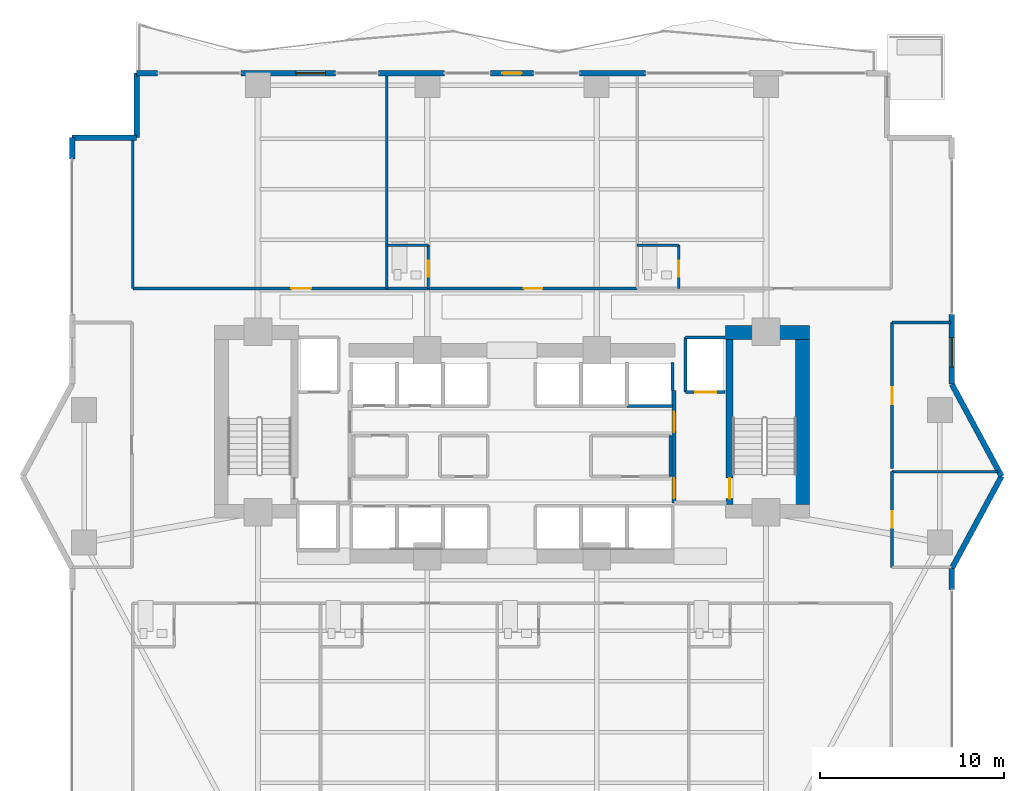
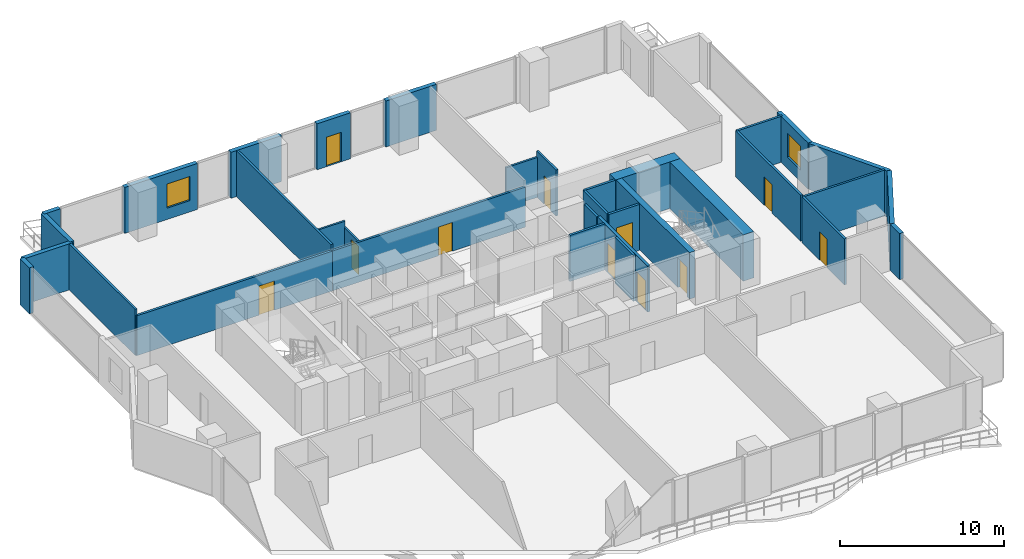
# One storey, part 23 of 28: 34 walls, 11 doors, 2 windows, 13 openings.
"""IFC4 building model written with IfcOpenShell, lengths in metres."""

from ifc_helpers import new_model, si_unit, direction, frame, frame_2d, origin, place, context, subcontext, project, spatial, rectangle, extrude, material, layer, layer_set, type_object, element, fill, save


model = new_model("IFC4")

# Units and contexts
model_context = context("Model", 3, precision=1e-05, world=origin(), true_north=direction((0.0, 1.0)))
body_context = subcontext(model_context, "Body", "Model", "MODEL_VIEW")
ifc_project = project(units=[si_unit("LENGTHUNIT", "METRE"), si_unit("AREAUNIT", "SQUARE_METRE"), si_unit("VOLUMEUNIT", "CUBIC_METRE"), si_unit("PLANEANGLEUNIT", "RADIAN"), si_unit("MASSUNIT", "GRAM", prefix="KILO")], contexts=[model_context])

# Site, building, storey
site_placement = place(None, origin())
site = spatial("IfcSite", under=ifc_project, at=site_placement, CompositionType="ELEMENT")
building_placement = place(site_placement, origin())
building = spatial("IfcBuilding", under=site, at=building_placement, Name="Zuhayl Quay Hotel", CompositionType="ELEMENT")
storey_placement = place(building_placement, frame((0.0, 0.0, 146.75)))
storey = spatial("IfcBuildingStorey", under=building, at=storey_placement, Name="L37", CompositionType="ELEMENT", Elevation=146.75)

# Walls
ifc_material_1 = material(Name="Concrete C60/75", Category="concrete")
ifc_layer_1 = layer(ifc_material_1, 0.75, Name="Concrete C60/75", Category="concrete")
ifc_layer_set_1 = layer_set([ifc_layer_1], Name="Concrete C60/75")
wall_type_1 = type_object("IfcWallType", Name="WL_CORE_750", PredefinedType="SHEAR", material=ifc_layer_set_1)
wall_1_placement = place(storey_placement, frame((11.60009765625, 14.304931640625, 0.0), z_axis=(0.0, 0.0, 1.0), x_axis=(1.0, 0.0, 0.0)))
element("IfcWall", 1, at=wall_1_placement, inside=storey, type_object=wall_type_1, Name="L37 Core Shear Wall CW_NE", PredefinedType="SHEAR", context=body_context, shape_type="SweptSolid", body=[
    extrude(rectangle(XDim=4.559814453125, YDim=0.75, at=frame_2d((2.27978515625, 0.0))), origin(), (0.0, 0.0, 1.0), 3.4599609375),
])
wall_2_placement = place(storey_placement, frame((15.784912109375, 4.969970703125, 0.0), z_axis=(0.0, 0.0, 1.0), x_axis=(0.0, 1.0, 0.0)))
element("IfcWall", 2, at=wall_2_placement, inside=storey, type_object=wall_type_1, Name="L37 Core Shear Wall CW_E", PredefinedType="SHEAR", context=body_context, shape_type="SweptSolid", body=[
    extrude(rectangle(XDim=8.9599609375, YDim=0.75, at=frame_2d((4.47998046875, 0.0))), origin(), (0.0, 0.0, 1.0), 3.4599609375),
])
ifc_material_2 = material(Name="Precast concrete C45/55", Category="concrete")
ifc_layer_2 = layer(ifc_material_2, 0.300048828125, Name="Precast concrete C45/55", Category="concrete")
ifc_layer_set_2 = layer_set([ifc_layer_2], Name="Precast concrete C45/55")
wall_type_2 = type_object("IfcWallType", Name="WL_EXT_300", PredefinedType="STANDARD", material=ifc_layer_set_2)
wall_3_placement = place(storey_placement, frame((-23.89990234375, 23.75, 0.0), z_axis=(0.0, 0.0, 1.0), x_axis=(0.0, 1.0, 0.0)))
element("IfcWall", 3, at=wall_3_placement, inside=storey, type_object=wall_type_2, Name="L37 Exterior Precast Wall ENV_L37_E05_EW2", PredefinedType="STANDARD", context=body_context, shape_type="SweptSolid", body=[
    extrude(rectangle(XDim=1.14990234375, YDim=0.300048828125, at=frame_2d((0.574951171875, 0.0))), origin(), (0.0, 0.0, 1.0), 3.429931640625),
])
for number, where, z_axis, x_axis, name in (
    (4, (-23.89990234375, 24.89990234375, 0.0), (0.0, 0.0, 1.0), (1.0, 0.0, 0.0), "L37 Exterior Precast Wall ENV_L37_EW06"),
    (5, (-20.39990234375, 24.89990234375, 0.0), (0.0, 0.0, 1.0), (0.0, 1.0, 0.0), "L37 Exterior Precast Wall ENV_L37_EW07"),
):
    element("IfcWall", number, at=place(storey_placement, frame(where, z_axis=z_axis, x_axis=x_axis)), inside=storey, type_object=wall_type_2, Name=name, PredefinedType="STANDARD", context=body_context, shape_type="SweptSolid", body=[
        extrude(rectangle(XDim=3.5, YDim=0.300048828125, at=frame_2d((1.75, 0.0))), origin(), (0.0, 0.0, 1.0), 3.429931640625),
    ])
wall_4_placement = place(storey_placement, frame((-20.39990234375, 28.39990234375, 0.0), z_axis=(0.0, 0.0, 1.0), x_axis=(1.0, 0.0, 0.0)))
element("IfcWall", 6, at=wall_4_placement, inside=storey, type_object=wall_type_2, Name="L37 Exterior Precast Wall ENV_L37_N_EW1", PredefinedType="STANDARD", context=body_context, shape_type="SweptSolid", body=[
    extrude(rectangle(XDim=1.14990234375, YDim=0.300048828125, at=frame_2d((0.574951171875, 0.0))), origin(), (0.0, 0.0, 1.0), 3.429931640625),
])

# Wall, opening, window
wall_5_placement = place(storey_placement, frame((-14.719970703125, 28.39990234375, 0.0), z_axis=(0.0, 0.0, 1.0), x_axis=(1.0, 0.0, 0.0)))
wall_5 = element("IfcWall", 7, at=wall_5_placement, inside=storey, type_object=wall_type_2, Name="L37 Exterior Precast Wall ENV_L37_N_EW2", PredefinedType="STANDARD", context=body_context, shape_type="SweptSolid", body=[
    extrude(rectangle(XDim=5.1298828125, YDim=0.300048828125, at=frame_2d((2.56494140625, 0.0))), origin(), (0.0, 0.0, 1.0), 3.429931640625),
])
opening_1_placement = place(wall_5_placement, frame((2.97998046875, 0.0, 0.85009765625)))
opening_1 = element("IfcOpeningElement", 8, at=opening_1_placement, cuts=wall_5, Name="Opening W01", PredefinedType="OPENING", context=body_context, shape_type="SweptSolid", body=[
    extrude(rectangle(XDim=1.60009765625, YDim=1.800048828125, at=frame_2d((0.800048828125, 0.89990234375))), frame((0.0, 0.159912109375, 0.0), z_axis=(0.0, -1.0, 0.0), x_axis=(1.0, 0.0, 0.0)), (0.0, 0.0, 1.0), 0.320068359375),
])
ifc_material_3 = material(Name="Dark Ceramic-Fritted Solar Glass", Category="glass")
window_type = type_object("IfcWindowType", Name="WN_OPERABLE_1600", PartitioningType="DOUBLE_PANEL_VERTICAL", PredefinedType="WINDOW", material=ifc_material_3)
window_1_placement = place(opening_1_placement, origin())
window_1 = element("IfcWindow", 9, at=window_1_placement, inside=storey, type_object=window_type, Name="L37 North Operable Casement Window", OverallHeight=1.800048828125, OverallWidth=1.60009765625, PartitioningType="SINGLE_PANEL", PredefinedType="WINDOW", context=body_context, shape_type="SweptSolid", body=[
    extrude(rectangle(XDim=1.60009765625, YDim=1.800048828125, at=frame_2d((0.800048828125, 0.89990234375))), frame((0.0, 0.030029296875, 0.0), z_axis=(0.0, -1.0, 0.0), x_axis=(1.0, 0.0, 0.0)), (0.0, 0.0, 1.0), 0.06005859375),
])
fill(opening_1, window_1)

# Wall
wall_6_placement = place(storey_placement, frame((-7.25, 28.39990234375, 0.0), z_axis=(0.0, 0.0, 1.0), x_axis=(1.0, 0.0, 0.0)))
element("IfcWall", 10, at=wall_6_placement, inside=storey, type_object=wall_type_2, Name="L37 Exterior Precast Wall ENV_L37_N_EW3", PredefinedType="STANDARD", context=body_context, shape_type="SweptSolid", body=[
    extrude(rectangle(XDim=3.570068359375, YDim=0.300048828125, at=frame_2d((1.78515625, 0.0))), origin(), (0.0, 0.0, 1.0), 3.429931640625),
])

# Wall, opening, door
wall_7_placement = place(storey_placement, frame((-1.175048828125, 28.39990234375, 0.0), z_axis=(0.0, 0.0, 1.0), x_axis=(1.0, 0.0, 0.0)))
wall_7 = element("IfcWall", 11, at=wall_7_placement, inside=storey, type_object=wall_type_2, Name="L37 Exterior Precast Wall ENV_L37_N_EW4", PredefinedType="STANDARD", context=body_context, shape_type="SweptSolid", body=[
    extrude(rectangle(XDim=2.35009765625, YDim=0.300048828125, at=frame_2d((1.175048828125, 0.0))), origin(), (0.0, 0.0, 1.0), 3.429931640625),
])
opening_2_placement = place(wall_7_placement, frame((0.64990234375, 0.0, 0.0)))
opening_2 = element("IfcOpeningElement", 12, at=opening_2_placement, cuts=wall_7, Name="Opening DG1", PredefinedType="OPENING", context=body_context, shape_type="SweptSolid", body=[
    extrude(rectangle(XDim=1.050048828125, YDim=2.199951171875, at=frame_2d((0.52490234375, 1.10009765625))), frame((0.0, 0.159912109375, 0.0), z_axis=(0.0, -1.0, 0.0), x_axis=(1.0, 0.0, 0.0)), (0.0, 0.0, 1.0), 0.320068359375),
])
ifc_material_4 = material(Name="Anodised Aluminium and Dark Solar Glass", Category="aluminium")
door_type_1 = type_object("IfcDoorType", Name="DR_EXT_TERR_1050", OperationType="NOTDEFINED", PredefinedType="DOOR", material=ifc_material_4)
door_1_placement = place(opening_2_placement, origin())
door_1 = element("IfcDoor", 13, at=door_1_placement, inside=storey, type_object=door_type_1, Name="L37 North Rippling Balcony Door", OperationType="SINGLE_SWING_LEFT", OverallHeight=2.199951171875, OverallWidth=1.050048828125, PredefinedType="DOOR", context=body_context, shape_type="SweptSolid", body=[
    extrude(rectangle(XDim=1.050048828125, YDim=2.199951171875, at=frame_2d((0.52490234375, 1.10009765625))), frame((0.0, 0.02490234375, 0.0), z_axis=(0.0, -1.0, 0.0), x_axis=(1.0, 0.0, 0.0)), (0.0, 0.0, 1.0), 0.050048828125),
])
fill(opening_2, door_1)

# Wall
wall_8_placement = place(storey_placement, frame((3.679931640625, 28.39990234375, 0.0), z_axis=(0.0, 0.0, 1.0), x_axis=(1.0, 0.0, 0.0)))
element("IfcWall", 14, at=wall_8_placement, inside=storey, type_object=wall_type_2, Name="L37 Exterior Precast Wall ENV_L37_N_EW5", PredefinedType="STANDARD", context=body_context, shape_type="SweptSolid", body=[
    extrude(rectangle(XDim=3.570068359375, YDim=0.300048828125, at=frame_2d((1.78515625, 0.0))), origin(), (0.0, 0.0, 1.0), 3.429931640625),
])

# Wall, opening, window
wall_9_placement = place(storey_placement, frame((23.89990234375, 15.300048828125, 0.0), z_axis=(0.0, 0.0, 1.0), x_axis=(0.0, -1.0, 0.0)))
wall_9 = element("IfcWall", 15, at=wall_9_placement, inside=storey, type_object=wall_type_2, Name="L37 Exterior Precast Wall ENV_L37_E11_EW2", PredefinedType="STANDARD", context=body_context, shape_type="SweptSolid", body=[
    extrude(rectangle(XDim=3.800048828125, YDim=0.300048828125, at=frame_2d((1.89990234375, 0.0))), origin(), (0.0, 0.0, 1.0), 3.429931640625),
])
opening_3_placement = place(wall_9_placement, frame((1.264892578125, 0.0, 0.85009765625)))
opening_3 = element("IfcOpeningElement", 16, at=opening_3_placement, cuts=wall_9, Name="Opening W01", PredefinedType="OPENING", context=body_context, shape_type="SweptSolid", body=[
    extrude(rectangle(XDim=1.60009765625, YDim=1.800048828125, at=frame_2d((0.800048828125, 0.89990234375))), frame((0.0, 0.159912109375, 0.0), z_axis=(0.0, -1.0, 0.0), x_axis=(1.0, 0.0, 0.0)), (0.0, 0.0, 1.0), 0.320068359375),
])
window_2_placement = place(opening_3_placement, origin())
window_2 = element("IfcWindow", 17, at=window_2_placement, inside=storey, type_object=window_type, Name="L37 Operable Facade Window 2-1", OverallHeight=1.800048828125, OverallWidth=1.60009765625, PartitioningType="SINGLE_PANEL", PredefinedType="WINDOW", context=body_context, shape_type="SweptSolid", body=[
    extrude(rectangle(XDim=1.60009765625, YDim=1.800048828125, at=frame_2d((0.800048828125, 0.89990234375))), frame((0.0, 0.030029296875, 0.0), z_axis=(0.0, -1.0, 0.0), x_axis=(1.0, 0.0, 0.0)), (0.0, 0.0, 1.0), 0.06005859375),
])
fill(opening_3, window_2)

# Walls
for number, where, z_axis, x_axis, name in (
    (18, (23.89990234375, 11.5, 0.0), (0.0, 0.0, 1.0), (0.475175525499, -0.879891027325, 0.0), "L37 Exterior Precast Wall ENV_L37_EW12"),
    (19, (26.60009765625, 6.5, 0.0), (0.0, 0.0, 1.0), (-0.475175525499, -0.879891027325, 0.0), "L37 Exterior Precast Wall ENV_L37_EW13"),
):
    element("IfcWall", number, at=place(storey_placement, frame(where, z_axis=z_axis, x_axis=x_axis)), inside=storey, type_object=wall_type_2, Name=name, PredefinedType="STANDARD", context=body_context, shape_type="SweptSolid", body=[
        extrude(rectangle(XDim=5.6826171875, YDim=0.300048828125, at=frame_2d((2.84130859375, 0.0))), origin(), (0.0, 0.0, 1.0), 3.429931640625),
    ])
wall_10_placement = place(storey_placement, frame((23.89990234375, 1.5, 0.0), z_axis=(0.0, 0.0, 1.0), x_axis=(0.0, -1.0, 0.0)))
element("IfcWall", 20, at=wall_10_placement, inside=storey, type_object=wall_type_2, Name="L37 Exterior Precast Wall ENV_L37_E14_EW1", PredefinedType="STANDARD", context=body_context, shape_type="SweptSolid", body=[
    extrude(rectangle(XDim=1.14990234375, YDim=0.300048828125, at=frame_2d((0.574951171875, 0.0))), origin(), (0.0, 0.0, 1.0), 3.429931640625),
])
ifc_material_5 = material(Name="Acoustic Gypsum Partition STC-58")
ifc_layer_3 = layer(ifc_material_5, 0.14990234375, Name="Acoustic Gypsum Partition STC-58")
ifc_layer_set_3 = layer_set([ifc_layer_3], Name="Acoustic Gypsum Partition STC-58")
wall_type_3 = type_object("IfcWallType", Name="WL_PART_150", PredefinedType="PARTITIONING", material=ifc_layer_set_3)
wall_11_placement = place(storey_placement, frame((8.610107421875, 6.47998046875, 0.0), z_axis=(0.0, 0.0, 1.0), x_axis=(0.0, 1.0, 0.0)))
element("IfcWall", 21, at=wall_11_placement, inside=storey, type_object=wall_type_3, Name="L37 Partition IW_L37_CORE_VL_E", PredefinedType="PARTITIONING", context=body_context, shape_type="SweptSolid", body=[
    extrude(rectangle(XDim=2.239990234375, YDim=0.14990234375, at=frame_2d((1.1201171875, 0.0))), origin(), (0.0, 0.0, 1.0), 3.429931640625),
])
wall_12_placement = place(storey_placement, frame((-20.60009765625, 16.699951171875, 0.0), z_axis=(0.0, 0.0, 1.0), x_axis=(0.0, 1.0, 0.0)))
element("IfcWall", 22, at=wall_12_placement, inside=storey, type_object=wall_type_3, Name="L37 Partition IW_L37_NSAL_0_W", PredefinedType="PARTITIONING", context=body_context, shape_type="SweptSolid", body=[
    extrude(rectangle(XDim=8.14013671875, YDim=0.14990234375, at=frame_2d((4.070068359375, 0.0))), origin(), (0.0, 0.0, 1.0), 3.429931640625),
])
wall_13_placement = place(storey_placement, frame((-6.800048828125, 16.699951171875, 0.0), z_axis=(0.0, 0.0, 1.0), x_axis=(0.0, 1.0, 0.0)))
element("IfcWall", 23, at=wall_13_placement, inside=storey, type_object=wall_type_3, Name="L37 Partition IW_L37_NSAL_0_E", PredefinedType="PARTITIONING", context=body_context, shape_type="SweptSolid", body=[
    extrude(rectangle(XDim=11.64013671875, YDim=0.14990234375, at=frame_2d((5.820068359375, 0.0))), origin(), (0.0, 0.0, 1.0), 3.429931640625),
])
wall_14_placement = place(storey_placement, frame((20.64990234375, 6.75, 0.0), z_axis=(0.0, 0.0, 1.0), x_axis=(1.0, 0.0, 0.0)))
element("IfcWall", 24, at=wall_14_placement, inside=storey, type_object=wall_type_3, Name="L37 Partition IW_L37_HK_MAIN_N", PredefinedType="PARTITIONING", context=body_context, shape_type="SweptSolid", body=[
    extrude(rectangle(XDim=5.755126953125, YDim=0.14990234375, at=frame_2d((2.87744140625, 0.0))), origin(), (0.0, 0.0, 1.0), 3.429931640625),
])
wall_15_placement = place(storey_placement, frame((20.64990234375, 14.85009765625, 0.0), z_axis=(0.0, 0.0, 1.0), x_axis=(1.0, 0.0, 0.0)))
element("IfcWall", 25, at=wall_15_placement, inside=storey, type_object=wall_type_3, Name="L37 Partition IW_L37_EFLK_2_N", PredefinedType="PARTITIONING", context=body_context, shape_type="SweptSolid", body=[
    extrude(rectangle(XDim=3.190185546875, YDim=0.14990234375, at=frame_2d((1.59521484375, 0.0))), origin(), (0.0, 0.0, 1.0), 3.429931640625),
])

# Wall, opening, door
ifc_layer_4 = layer(ifc_material_5, 0.159912109375, Name="Acoustic Gypsum Partition STC-58")
ifc_layer_set_4 = layer_set([ifc_layer_4], Name="Acoustic Gypsum Partition STC-58")
wall_type_4 = type_object("IfcWallType", Name="WL_PART_CORR_160", PredefinedType="PARTITIONING", material=ifc_layer_set_4)
wall_16_placement = place(storey_placement, frame((-20.60009765625, 16.699951171875, 0.0), z_axis=(0.0, 0.0, 1.0), x_axis=(1.0, 0.0, 0.0)))
wall_16 = element("IfcWall", 26, at=wall_16_placement, inside=storey, type_object=wall_type_4, Name="L37 Partition IW_L37_NSAL_0_S", PredefinedType="PARTITIONING", context=body_context, shape_type="SweptSolid", body=[
    extrude(rectangle(XDim=13.800048828125, YDim=0.159912109375, at=frame_2d((6.89990234375, 0.0))), origin(), (0.0, 0.0, 1.0), 2.972900390625),
])
opening_4_placement = place(wall_16_placement, frame((8.610107421875, 0.0, 0.0)))
opening_4 = element("IfcOpeningElement", 27, at=opening_4_placement, cuts=wall_16, Name="Opening D05A", PredefinedType="OPENING", context=body_context, shape_type="SweptSolid", body=[
    extrude(rectangle(XDim=1.080078125, YDim=2.179931640625, at=frame_2d((0.5400390625, 1.08984375))), frame((0.0, 0.08984375, 0.0), z_axis=(0.0, -1.0, 0.0), x_axis=(1.0, 0.0, 0.0)), (0.0, 0.0, 1.0), 0.179931640625),
])
ifc_material_6 = material(Name="Solid Walnut Acoustic Fire Door")
door_type_2 = type_object("IfcDoorType", Name="DR_INT_1100", OperationType="NOTDEFINED", PredefinedType="DOOR", material=ifc_material_6)
door_2_placement = place(opening_4_placement, origin())
door_2 = element("IfcDoor", 28, at=door_2_placement, inside=storey, type_object=door_type_2, Name="L37 Majlis Reception Lounge Door", OperationType="SINGLE_SWING_RIGHT", OverallHeight=2.179931640625, OverallWidth=1.080078125, PredefinedType="DOOR", context=body_context, shape_type="SweptSolid", body=[
    extrude(rectangle(XDim=1.080078125, YDim=2.179931640625, at=frame_2d((0.5400390625, 1.08984375))), frame((0.0, 0.02490234375, 0.0), z_axis=(0.0, -1.0, 0.0), x_axis=(1.0, 0.0, 0.0)), (0.0, 0.0, 1.0), 0.050048828125),
])
fill(opening_4, door_2)

wall_17_placement = place(storey_placement, frame((-6.800048828125, 16.699951171875, 0.0), z_axis=(0.0, 0.0, 1.0), x_axis=(1.0, 0.0, 0.0)))
wall_17 = element("IfcWall", 29, at=wall_17_placement, inside=storey, type_object=wall_type_4, Name="L37 Partition IW_L37_NU02_COR", PredefinedType="PARTITIONING", context=body_context, shape_type="SweptSolid", body=[
    extrude(rectangle(XDim=13.60009765625, YDim=0.159912109375, at=frame_2d((6.800048828125, 0.0))), origin(), (0.0, 0.0, 1.0), 2.972900390625),
])
opening_5_placement = place(wall_17_placement, frame((7.449951171875, 0.0, 0.0)))
opening_5 = element("IfcOpeningElement", 30, at=opening_5_placement, cuts=wall_17, Name="Opening D03L", PredefinedType="OPENING", context=body_context, shape_type="SweptSolid", body=[
    extrude(rectangle(XDim=1.0, YDim=2.14990234375, at=frame_2d((0.5, 1.074951171875))), frame((0.0, 0.08984375, 0.0), z_axis=(0.0, -1.0, 0.0), x_axis=(1.0, 0.0, 0.0)), (0.0, 0.0, 1.0), 0.179931640625),
])
door_type_3 = type_object("IfcDoorType", Name="DR_SUITE_1000", OperationType="NOTDEFINED", PredefinedType="DOOR", material=ifc_material_6)
door_3_placement = place(opening_5_placement, origin())
door_3 = element("IfcDoor", 31, at=door_3_placement, inside=storey, type_object=door_type_3, Name="L37 Executive Suite L37-02 Entrance Door", OperationType="SINGLE_SWING_RIGHT", OverallHeight=2.14990234375, OverallWidth=1.0, PredefinedType="DOOR", context=body_context, shape_type="SweptSolid", body=[
    extrude(rectangle(XDim=1.0, YDim=2.14990234375, at=frame_2d((0.5, 1.074951171875))), frame((0.0, 0.02490234375, 0.0), z_axis=(0.0, -1.0, 0.0), x_axis=(1.0, 0.0, 0.0)), (0.0, 0.0, 1.0), 0.050048828125),
])
fill(opening_5, door_3)

wall_18_placement = place(storey_placement, frame((20.64990234375, 1.550048828125, 0.0), z_axis=(0.0, 0.0, 1.0), x_axis=(0.0, 1.0, 0.0)))
wall_18 = element("IfcWall", 32, at=wall_18_placement, inside=storey, type_object=wall_type_4, Name="L37 Partition IW_L37_HK_MAIN_W", PredefinedType="PARTITIONING", context=body_context, shape_type="SweptSolid", body=[
    extrude(rectangle(XDim=5.199951171875, YDim=0.159912109375, at=frame_2d((2.60009765625, 0.0))), origin(), (0.0, 0.0, 1.0), 3.429931640625),
])
opening_6_placement = place(wall_18_placement, frame((2.139892578125, 0.0, 0.0)))
opening_6 = element("IfcOpeningElement", 33, at=opening_6_placement, cuts=wall_18, Name="Opening D05", PredefinedType="OPENING", context=body_context, shape_type="SweptSolid", body=[
    extrude(rectangle(XDim=0.919921875, YDim=2.1201171875, at=frame_2d((0.4599609375, 1.06005859375))), frame((0.0, 0.08984375, 0.0), z_axis=(0.0, -1.0, 0.0), x_axis=(1.0, 0.0, 0.0)), (0.0, 0.0, 1.0), 0.179931640625),
])
door_type_4 = type_object("IfcDoorType", Name="DR_INT_950", OperationType="NOTDEFINED", PredefinedType="DOOR", material=ifc_material_6)
door_4_placement = place(opening_6_placement, origin())
door_4 = element("IfcDoor", 34, at=door_4_placement, inside=storey, type_object=door_type_4, Name="L37 Housekeeping and Linen Room Door", OperationType="SINGLE_SWING_LEFT", OverallHeight=2.1201171875, OverallWidth=0.919921875, PredefinedType="DOOR", context=body_context, shape_type="SweptSolid", body=[
    extrude(rectangle(XDim=0.919921875, YDim=2.1201171875, at=frame_2d((0.4599609375, 1.06005859375))), frame((0.0, 0.02490234375, 0.0), z_axis=(0.0, -1.0, 0.0), x_axis=(1.0, 0.0, 0.0)), (0.0, 0.0, 1.0), 0.050048828125),
])
fill(opening_6, door_4)

wall_19_placement = place(storey_placement, frame((20.64990234375, 6.909912109375, 0.0), z_axis=(0.0, 0.0, 1.0), x_axis=(0.0, 1.0, 0.0)))
wall_19 = element("IfcWall", 35, at=wall_19_placement, inside=storey, type_object=wall_type_4, Name="L37 Partition IW_L37_EFLK_2_W", PredefinedType="PARTITIONING", context=body_context, shape_type="SweptSolid", body=[
    extrude(rectangle(XDim=7.940185546875, YDim=0.159912109375, at=frame_2d((3.97021484375, 0.0))), origin(), (0.0, 0.0, 1.0), 3.429931640625),
])
opening_7_placement = place(wall_19_placement, frame((3.510009765625, 0.0, 0.0)))
opening_7 = element("IfcOpeningElement", 36, at=opening_7_placement, cuts=wall_19, Name="Opening D05", PredefinedType="OPENING", context=body_context, shape_type="SweptSolid", body=[
    extrude(rectangle(XDim=0.919921875, YDim=2.1201171875, at=frame_2d((0.4599609375, 1.06005859375))), frame((0.0, 0.08984375, 0.0), z_axis=(0.0, -1.0, 0.0), x_axis=(1.0, 0.0, 0.0)), (0.0, 0.0, 1.0), 0.179931640625),
])
door_5_placement = place(opening_7_placement, origin())
door_5 = element("IfcDoor", 37, at=door_5_placement, inside=storey, type_object=door_type_4, Name="L37 East Prow Reading Lounge L37 Door", OperationType="SINGLE_SWING_RIGHT", OverallHeight=2.1201171875, OverallWidth=0.919921875, PredefinedType="DOOR", context=body_context, shape_type="SweptSolid", body=[
    extrude(rectangle(XDim=0.919921875, YDim=2.1201171875, at=frame_2d((0.4599609375, 1.06005859375))), frame((0.0, 0.02490234375, 0.0), z_axis=(0.0, -1.0, 0.0), x_axis=(1.0, 0.0, 0.0)), (0.0, 0.0, 1.0), 0.050048828125),
])
fill(opening_7, door_5)

ifc_material_7 = material(Name="Moisture-Resistant Sanitarychase Gypsum")
ifc_layer_5 = layer(ifc_material_7, 0.135009765625, Name="Moisture-Resistant Sanitarychase Gypsum")
ifc_layer_set_5 = layer_set([ifc_layer_5], Name="Moisture-Resistant Sanitarychase Gypsum")
wall_type_5 = type_object("IfcWallType", Name="WL_PART_PLUMB_150", PredefinedType="PLUMBINGWALL", material=ifc_layer_set_5)
wall_20_placement = place(storey_placement, frame((-4.5400390625, 16.699951171875, 0.0), z_axis=(0.0, 0.0, 1.0), x_axis=(0.0, 1.0, 0.0)))
wall_20 = element("IfcWall", 38, at=wall_20_placement, inside=storey, type_object=wall_type_5, Name="L37 Partition IW_L37_NU02_BE", PredefinedType="PLUMBINGWALL", context=body_context, shape_type="SweptSolid", body=[
    extrude(rectangle(XDim=2.360107421875, YDim=0.135009765625, at=frame_2d((1.18017578125, 0.0))), origin(), (0.0, 0.0, 1.0), 2.5029296875),
])
opening_8_placement = place(wall_20_placement, frame((0.64990234375, 0.0, 0.0)))
opening_8 = element("IfcOpeningElement", 39, at=opening_8_placement, cuts=wall_20, Name="Opening D04", PredefinedType="OPENING", context=body_context, shape_type="SweptSolid", body=[
    extrude(rectangle(XDim=0.85009765625, YDim=2.10009765625, at=frame_2d((0.425048828125, 1.050048828125))), frame((0.0, 0.077392578125, 0.0), z_axis=(0.0, -1.0, 0.0), x_axis=(1.0, 0.0, 0.0)), (0.0, 0.0, 1.0), 0.155029296875),
])
ifc_material_8 = material(Name="Moisture-Resistant Walnut Veneer")
door_type_5 = type_object("IfcDoorType", Name="DR_BATH_850", OperationType="NOTDEFINED", PredefinedType="DOOR", material=ifc_material_8)
door_6_placement = place(opening_8_placement, origin())
door_6 = element("IfcDoor", 40, at=door_6_placement, inside=storey, type_object=door_type_5, Name="L37 Executive Suite L37-02 En-Suite Door", OperationType="SINGLE_SWING_LEFT", OverallHeight=2.10009765625, OverallWidth=0.85009765625, PredefinedType="DOOR", context=body_context, shape_type="SweptSolid", body=[
    extrude(rectangle(XDim=0.85009765625, YDim=2.10009765625, at=frame_2d((0.425048828125, 1.050048828125))), frame((0.0, 0.02490234375, 0.0), z_axis=(0.0, -1.0, 0.0), x_axis=(1.0, 0.0, 0.0)), (0.0, 0.0, 1.0), 0.050048828125),
])
fill(opening_8, door_6)

wall_21_placement = place(storey_placement, frame((9.06005859375, 16.699951171875, 0.0), z_axis=(0.0, 0.0, 1.0), x_axis=(0.0, 1.0, 0.0)))
wall_21 = element("IfcWall", 41, at=wall_21_placement, inside=storey, type_object=wall_type_5, Name="L37 Partition IW_L37_NU03_BE", PredefinedType="PLUMBINGWALL", context=body_context, shape_type="SweptSolid", body=[
    extrude(rectangle(XDim=2.360107421875, YDim=0.135009765625, at=frame_2d((1.18017578125, 0.0))), origin(), (0.0, 0.0, 1.0), 3.429931640625),
])
opening_9_placement = place(wall_21_placement, frame((0.64990234375, 0.0, 0.0)))
opening_9 = element("IfcOpeningElement", 42, at=opening_9_placement, cuts=wall_21, Name="Opening D04", PredefinedType="OPENING", context=body_context, shape_type="SweptSolid", body=[
    extrude(rectangle(XDim=0.85009765625, YDim=2.10009765625, at=frame_2d((0.425048828125, 1.050048828125))), frame((0.0, 0.077392578125, 0.0), z_axis=(0.0, -1.0, 0.0), x_axis=(1.0, 0.0, 0.0)), (0.0, 0.0, 1.0), 0.155029296875),
])
door_7_placement = place(opening_9_placement, origin())
door_7 = element("IfcDoor", 43, at=door_7_placement, inside=storey, type_object=door_type_5, Name="L37 Executive Suite L37-03 En-Suite Door", OperationType="SINGLE_SWING_LEFT", OverallHeight=2.10009765625, OverallWidth=0.85009765625, PredefinedType="DOOR", context=body_context, shape_type="SweptSolid", body=[
    extrude(rectangle(XDim=0.85009765625, YDim=2.10009765625, at=frame_2d((0.425048828125, 1.050048828125))), frame((0.0, 0.02490234375, 0.0), z_axis=(0.0, -1.0, 0.0), x_axis=(1.0, 0.0, 0.0)), (0.0, 0.0, 1.0), 0.050048828125),
])
fill(opening_9, door_7)

# Walls
for number, where, z_axis, x_axis, name in (
    (44, (-6.800048828125, 19.06005859375, 0.0), (0.0, 0.0, 1.0), (1.0, 0.0, 0.0), "L37 Partition IW_L37_NU02_BN"),
    (45, (6.800048828125, 19.06005859375, 0.0), (0.0, 0.0, 1.0), (1.0, 0.0, 0.0), "L37 Partition IW_L37_NU03_BN"),
):
    element("IfcWall", number, at=place(storey_placement, frame(where, z_axis=z_axis, x_axis=x_axis)), inside=storey, type_object=wall_type_5, Name=name, PredefinedType="PLUMBINGWALL", context=body_context, shape_type="SweptSolid", body=[
        extrude(rectangle(XDim=2.260009765625, YDim=0.135009765625, at=frame_2d((1.1298828125, 0.0))), origin(), (0.0, 0.0, 1.0), 2.972900390625),
    ])

# Wall, opening, door
ifc_material_9 = material(Name="Gypsum Fireboard Assembly EI-90")
ifc_layer_6 = layer(ifc_material_9, 0.1650390625, Name="Gypsum Fireboard Assembly EI-90")
ifc_layer_set_6 = layer_set([ifc_layer_6], Name="Gypsum Fireboard Assembly EI-90")
wall_type_6 = type_object("IfcWallType", Name="WL_PART_SHAFT_160", PredefinedType="PARTITIONING", material=ifc_layer_set_6)
wall_22_placement = place(storey_placement, frame((9.419921875, 11.070068359375, 0.0), z_axis=(0.0, 0.0, 1.0), x_axis=(1.0, 0.0, 0.0)))
wall_22 = element("IfcWall", 46, at=wall_22_placement, inside=storey, type_object=wall_type_6, Name="L37 Partition IW_L37_SH_FL2_F", PredefinedType="PARTITIONING", context=body_context, shape_type="SweptSolid", body=[
    extrude(rectangle(XDim=2.16015625, YDim=0.1650390625, at=frame_2d((1.080078125, 0.0))), origin(), (0.0, 0.0, 1.0), 3.429931640625),
])
opening_10_placement = place(wall_22_placement, frame((0.530029296875, 0.0, 0.0)))
opening_10 = element("IfcOpeningElement", 47, at=opening_10_placement, cuts=wall_22, Name="Opening LD2", PredefinedType="OPENING", context=body_context, shape_type="SweptSolid", body=[
    extrude(rectangle(XDim=1.14990234375, YDim=2.25, at=frame_2d((0.574951171875, 1.125))), frame((0.0, 0.092529296875, 0.0), z_axis=(0.0, -1.0, 0.0), x_axis=(1.0, 0.0, 0.0)), (0.0, 0.0, 1.0), 0.18505859375),
])
ifc_material_10 = material(Name="Brushed Stainless Steel", Category="steel")
door_type_6 = type_object("IfcDoorType", Name="DR_LIFT_FF_1100", OperationType="SLIDING_TO_LEFT", PredefinedType="DOOR", material=ifc_material_10)
door_8_placement = place(opening_10_placement, origin())
door_8 = element("IfcDoor", 48, at=door_8_placement, inside=storey, type_object=door_type_6, Name="L37 Lift FL2 Sliding Landing Door", OperationType="SLIDING_TO_LEFT", OverallHeight=2.25, OverallWidth=1.14990234375, PredefinedType="DOOR", context=body_context, shape_type="SweptSolid", body=[
    extrude(rectangle(XDim=1.14990234375, YDim=2.25, at=frame_2d((0.574951171875, 1.125))), frame((0.0, 0.02490234375, 0.0), z_axis=(0.0, -1.0, 0.0), x_axis=(1.0, 0.0, 0.0)), (0.0, 0.0, 1.0), 0.050048828125),
])
fill(opening_10, door_8)

# Walls
wall_23_placement = place(storey_placement, frame((9.419921875, 11.070068359375, 0.0), z_axis=(0.0, 0.0, 1.0), x_axis=(0.0, 1.0, 0.0)))
element("IfcWall", 49, at=wall_23_placement, inside=storey, type_object=wall_type_6, Name="L37 Partition IW_L37_SH_FL2_W", PredefinedType="PARTITIONING", context=body_context, shape_type="SweptSolid", body=[
    extrude(rectangle(XDim=2.9599609375, YDim=0.1650390625, at=frame_2d((1.47998046875, 0.0))), origin(), (0.0, 0.0, 1.0), 3.429931640625),
])
wall_24_placement = place(storey_placement, frame((9.419921875, 14.030029296875, 0.0), z_axis=(0.0, 0.0, 1.0), x_axis=(1.0, 0.0, 0.0)))
element("IfcWall", 50, at=wall_24_placement, inside=storey, type_object=wall_type_6, Name="L37 Partition IW_L37_SH_FL2_B", PredefinedType="PARTITIONING", context=body_context, shape_type="SweptSolid", body=[
    extrude(rectangle(XDim=2.16015625, YDim=0.1650390625, at=frame_2d((1.080078125, 0.0))), origin(), (0.0, 0.0, 1.0), 3.429931640625),
])
wall_25_placement = place(storey_placement, frame((6.25, 10.320068359375, 0.0), z_axis=(0.0, 0.0, 1.0), x_axis=(1.0, 0.0, 0.0)))
element("IfcWall", 51, at=wall_25_placement, inside=storey, type_object=wall_type_6, Name="L37 Partition IW_L37_SH_HP4_F", PredefinedType="PARTITIONING", context=body_context, shape_type="SweptSolid", body=[
    extrude(rectangle(XDim=2.47998046875, YDim=0.1650390625, at=frame_2d((1.239990234375, 0.0))), origin(), (0.0, 0.0, 1.0), 3.429931640625),
])
wall_26_placement = place(storey_placement, frame((8.72998046875, 11.14990234375, 0.0), z_axis=(0.0, 0.0, 1.0), x_axis=(0.0, 1.0, 0.0)))
element("IfcWall", 52, at=wall_26_placement, inside=storey, type_object=wall_type_6, Name="L37 Partition IW_L37_SH_HP4_E", PredefinedType="PARTITIONING", context=body_context, shape_type="SweptSolid", body=[
    extrude(rectangle(XDim=1.530029296875, YDim=0.1650390625, at=frame_2d((0.76513671875, 0.0))), origin(), (0.0, 0.0, 1.0), 3.429931640625),
])

# Wall, openings, doors
ifc_material_11 = material(Name="Gypsum Fireboard Assembly EI-120")
ifc_layer_7 = layer(ifc_material_11, 0.199951171875, Name="Gypsum Fireboard Assembly EI-120")
ifc_layer_set_7 = layer_set([ifc_layer_7], Name="Gypsum Fireboard Assembly EI-120")
wall_type_7 = type_object("IfcWallType", Name="WL_PART_SHAFT_200", PredefinedType="PARTITIONING", material=ifc_layer_set_7)
wall_27_placement = place(storey_placement, frame((8.800048828125, 11.14990234375, 0.0), z_axis=(0.0, 0.0, 1.0), x_axis=(0.0, -1.0, 0.0)))
wall_27 = element("IfcWall", 53, at=wall_27_placement, inside=storey, type_object=wall_type_7, Name="L37 Partition IW_L37_FSAE_E_W", PredefinedType="PARTITIONING", context=body_context, shape_type="SweptSolid", body=[
    extrude(rectangle(XDim=6.099853515625, YDim=0.199951171875, at=frame_2d((3.0498046875, 0.0))), origin(), (0.0, 0.0, 1.0), 3.429931640625),
])
opening_11_placement = place(wall_27_placement, frame((1.14990234375, 0.0, 0.0)))
opening_11 = element("IfcOpeningElement", 54, at=opening_11_placement, cuts=wall_27, Name="Opening D02", PredefinedType="OPENING", context=body_context, shape_type="SweptSolid", body=[
    extrude(rectangle(XDim=1.10009765625, YDim=2.199951171875, at=frame_2d((0.550048828125, 1.10009765625))), frame((0.0, 0.10986328125, 0.0), z_axis=(0.0, -1.0, 0.0), x_axis=(1.0, 0.0, 0.0)), (0.0, 0.0, 1.0), 0.219970703125),
])
opening_12_placement = place(wall_27_placement, frame((4.75, 0.0, 0.0)))
opening_12 = element("IfcOpeningElement", 55, at=opening_12_placement, cuts=wall_27, Name="Opening D02", PredefinedType="OPENING", context=body_context, shape_type="SweptSolid", body=[
    extrude(rectangle(XDim=1.10009765625, YDim=2.199951171875, at=frame_2d((0.550048828125, 1.10009765625))), frame((0.0, 0.10986328125, 0.0), z_axis=(0.0, -1.0, 0.0), x_axis=(1.0, 0.0, 0.0)), (0.0, 0.0, 1.0), 0.219970703125),
])
ifc_material_12 = material(Name="Steel ASTM A992 Grade 50", Category="steel")
door_type_7 = type_object("IfcDoorType", Name="DR_FIRE_90_1100", OperationType="NOTDEFINED", PredefinedType="DOOR", material=ifc_material_12)
door_9_placement = place(opening_11_placement, origin())
door_9 = element("IfcDoor", 56, at=door_9_placement, inside=storey, type_object=door_type_7, Name="L37 FSAE Lobby East North Entry Door", OperationType="SINGLE_SWING_LEFT", OverallHeight=2.199951171875, OverallWidth=1.10009765625, PredefinedType="DOOR", context=body_context, shape_type="SweptSolid", body=[
    extrude(rectangle(XDim=1.10009765625, YDim=2.199951171875, at=frame_2d((0.550048828125, 1.10009765625))), frame((0.0, 0.02490234375, 0.0), z_axis=(0.0, -1.0, 0.0), x_axis=(1.0, 0.0, 0.0)), (0.0, 0.0, 1.0), 0.050048828125),
])
fill(opening_11, door_9)
door_10_placement = place(opening_12_placement, origin())
door_10 = element("IfcDoor", 57, at=door_10_placement, inside=storey, type_object=door_type_7, Name="L37 FSAE Lobby East South Entry Door", OperationType="SINGLE_SWING_RIGHT", OverallHeight=2.199951171875, OverallWidth=1.10009765625, PredefinedType="DOOR", context=body_context, shape_type="SweptSolid", body=[
    extrude(rectangle(XDim=1.10009765625, YDim=2.199951171875, at=frame_2d((0.550048828125, 1.10009765625))), frame((0.0, 0.02490234375, 0.0), z_axis=(0.0, -1.0, 0.0), x_axis=(1.0, 0.0, 0.0)), (0.0, 0.0, 1.0), 0.050048828125),
])
fill(opening_12, door_10)

# Wall, opening, door
ifc_layer_8 = layer(ifc_material_1, 0.39990234375, Name="Concrete C60/75", Category="concrete")
ifc_layer_set_8 = layer_set([ifc_layer_8], Name="Concrete C60/75")
wall_type_8 = type_object("IfcWallType", Name="WL_STAIR_400", PredefinedType="SHEAR", material=ifc_layer_set_8)
wall_28_placement = place(storey_placement, frame((11.820068359375, 13.929931640625, 0.0), z_axis=(0.0, 0.0, 1.0), x_axis=(0.0, -1.0, 0.0)))
wall_28 = element("IfcWall", 58, at=wall_28_placement, inside=storey, type_object=wall_type_8, Name="L37 Core Shear Wall SW_ST2", PredefinedType="SHEAR", context=body_context, shape_type="SweptSolid", body=[
    extrude(rectangle(XDim=8.9599609375, YDim=0.39990234375, at=frame_2d((4.47998046875, 0.0))), origin(), (0.0, 0.0, 1.0), 3.4599609375),
])
opening_13_placement = place(wall_28_placement, frame((7.530029296875, 0.0, 0.0)))
opening_13 = element("IfcOpeningElement", 59, at=opening_13_placement, cuts=wall_28, Name="Opening D01", PredefinedType="OPENING", context=body_context, shape_type="SweptSolid", body=[
    extrude(rectangle(XDim=1.1201171875, YDim=2.219970703125, at=frame_2d((0.56005859375, 1.10986328125))), frame((0.0, 0.2099609375, 0.0), z_axis=(0.0, -1.0, 0.0), x_axis=(1.0, 0.0, 0.0)), (0.0, 0.0, 1.0), 0.419921875),
])
door_type_8 = type_object("IfcDoorType", Name="DR_STAIR_90_1100", OperationType="NOTDEFINED", PredefinedType="DOOR", material=ifc_material_12)
door_11_placement = place(opening_13_placement, origin())
door_11 = element("IfcDoor", 60, at=door_11_placement, inside=storey, type_object=door_type_8, Name="L37 Smokeproof Exit Stair ST2 Door", OperationType="SINGLE_SWING_RIGHT", OverallHeight=2.219970703125, OverallWidth=1.1201171875, PredefinedType="DOOR", context=body_context, shape_type="SweptSolid", body=[
    extrude(rectangle(XDim=1.1201171875, YDim=2.219970703125, at=frame_2d((0.56005859375, 1.10986328125))), frame((0.0, 0.02490234375, 0.0), z_axis=(0.0, -1.0, 0.0), x_axis=(1.0, 0.0, 0.0)), (0.0, 0.0, 1.0), 0.050048828125),
])
fill(opening_13, door_11)

save(model, "model.ifc")
